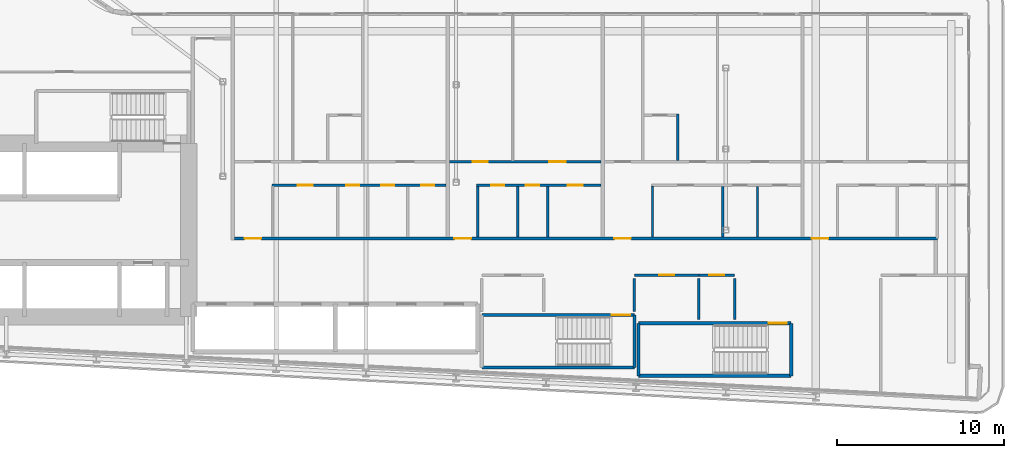
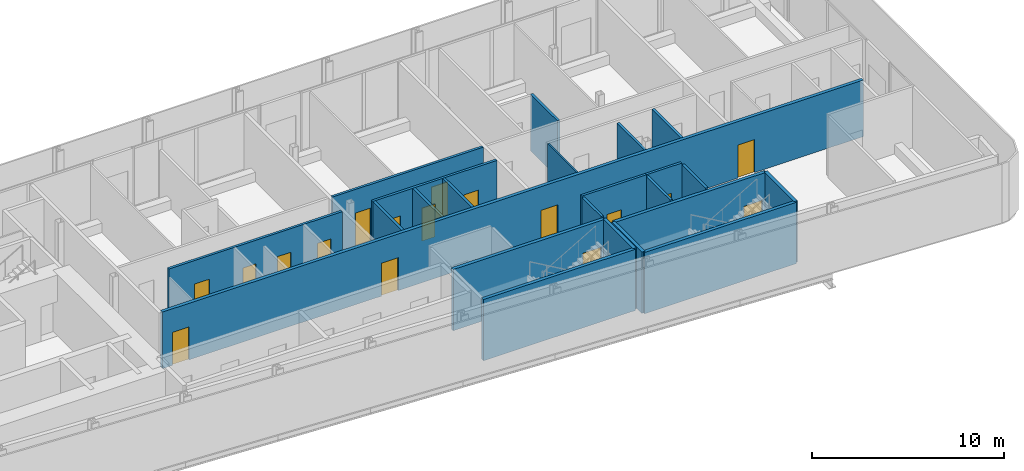
# One storey, part 14 of 27: 23 walls, 17 doors, 17 openings.
"""IFC4 building model written with IfcOpenShell, lengths in metres."""

from ifc_helpers import new_model, si_unit, direction, frame, frame_2d, origin, place, context, subcontext, project, spatial, rectangle, extrude, source, transform, mapped, material, layer, layer_set, type_object, element, fill, save


model = new_model("IFC4")

# Units and contexts
model_context = context("Model", 3, precision=1e-05, world=origin(), true_north=direction((0.0, 1.0)))
body_context = subcontext(model_context, "Body", "Model", "MODEL_VIEW")
ifc_project = project(units=[si_unit("LENGTHUNIT", "METRE"), si_unit("AREAUNIT", "SQUARE_METRE"), si_unit("VOLUMEUNIT", "CUBIC_METRE"), si_unit("PLANEANGLEUNIT", "RADIAN"), si_unit("MASSUNIT", "GRAM", prefix="KILO")], contexts=[model_context])

# Site, building, storey
site_placement = place(None, origin())
site = spatial("IfcSite", under=ifc_project, at=site_placement, CompositionType="ELEMENT")
building_placement = place(site_placement, origin())
building = spatial("IfcBuilding", under=site, at=building_placement, Name="Kheshtan School and Residences Tower", CompositionType="ELEMENT")
storey_placement = place(building_placement, frame((0.0, 0.0, 53.89990234375)))
storey = spatial("IfcBuildingStorey", under=building, at=storey_placement, Name="L12", CompositionType="ELEMENT", Elevation=53.89990234375)

# Wall, openings, doors
ifc_material_1 = material(Name="Gypsum board on steel studs with fire boards", Category="steel")
ifc_layer_1 = layer(ifc_material_1, 0.199951171875)
ifc_layer_set_1 = layer_set([ifc_layer_1], Name="Corridor wall 200")
wall_type_1 = type_object("IfcWallType", Name="Corridor wall 200", PredefinedType="PARTITIONING", material=ifc_layer_set_1)
wall_1_placement = place(storey_placement, frame((55.89990234375, 30.5, 0.0), z_axis=(0.0, 0.0, 1.0), x_axis=(1.0, 0.0, 0.0)))
wall_1 = element("IfcWall", 1, at=wall_1_placement, inside=storey, type_object=wall_type_1, Name="Partition L12-046", PredefinedType="PARTITIONING", context=body_context, shape_type="SweptSolid", body=[
    extrude(rectangle(XDim=42.2001953125, YDim=0.199951171875, at=frame_2d((21.10009765625, 0.0))), origin(), (0.0, 0.0, 1.0), 3.60009765625),
])
opening_1_placement = place(wall_1_placement, frame((0.60009765625, 0.0, 0.0)))
opening_1 = element("IfcOpeningElement", 2, at=opening_1_placement, cuts=wall_1, Name="Opening D12-005", PredefinedType="OPENING", context=body_context, shape_type="SweptSolid", body=[
    extrude(rectangle(XDim=1.0, YDim=2.10009765625, at=frame_2d((0.5, 1.050048828125))), frame((0.0, 0.10986328125, 0.0), z_axis=(0.0, -1.0, 0.0), x_axis=(1.0, 0.0, 0.0)), (0.0, 0.0, 1.0), 0.219970703125),
])
opening_2_placement = place(wall_1_placement, frame((13.199951171875, 0.0, 0.0)))
opening_2 = element("IfcOpeningElement", 3, at=opening_2_placement, cuts=wall_1, Name="Opening D12-012", PredefinedType="OPENING", context=body_context, shape_type="SweptSolid", body=[
    extrude(rectangle(XDim=1.0, YDim=2.10009765625, at=frame_2d((0.5, 1.050048828125))), frame((0.0, 0.10986328125, 0.0), z_axis=(0.0, -1.0, 0.0), x_axis=(1.0, 0.0, 0.0)), (0.0, 0.0, 1.0), 0.219970703125),
])
opening_3_placement = place(wall_1_placement, frame((22.800048828125, 0.0, 0.0)))
opening_3 = element("IfcOpeningElement", 4, at=opening_3_placement, cuts=wall_1, Name="Opening D12-019", PredefinedType="OPENING", context=body_context, shape_type="SweptSolid", body=[
    extrude(rectangle(XDim=1.0, YDim=2.10009765625, at=frame_2d((0.5, 1.050048828125))), frame((0.0, 0.10986328125, 0.0), z_axis=(0.0, -1.0, 0.0), x_axis=(1.0, 0.0, 0.0)), (0.0, 0.0, 1.0), 0.219970703125),
])
opening_4_placement = place(wall_1_placement, frame((34.64990234375, 0.0, 0.0)))
opening_4 = element("IfcOpeningElement", 5, at=opening_4_placement, cuts=wall_1, Name="Opening D12-026", PredefinedType="OPENING", context=body_context, shape_type="SweptSolid", body=[
    extrude(rectangle(XDim=1.0, YDim=2.10009765625, at=frame_2d((0.5, 1.050048828125))), frame((0.0, 0.10986328125, 0.0), z_axis=(0.0, -1.0, 0.0), x_axis=(1.0, 0.0, 0.0)), (0.0, 0.0, 1.0), 0.219970703125),
])
ifc_material_2 = material(Name="Steel-framed fire-resisting door leaf", Category="steel")
door_type_1 = type_object("IfcDoorType", Name="Fire door FD30S 1000 x 2100", OperationType="SINGLE_SWING_LEFT", PredefinedType="DOOR", material=ifc_material_2)
shared_shape_1 = source(origin(), body_context, "Body", "SweptSolid", [
    extrude(rectangle(XDim=1.0, YDim=2.10009765625, at=frame_2d((0.5, 1.050048828125))), frame((0.0, 0.02490234375, 0.0), z_axis=(0.0, -1.0, 0.0), x_axis=(1.0, 0.0, 0.0)), (0.0, 0.0, 1.0), 0.050048828125),
])
door_1_placement = place(opening_1_placement, origin())
door_1 = element("IfcDoor", 6, at=door_1_placement, inside=storey, type_object=door_type_1, Name="Door D12-005", OperationType="SINGLE_SWING_LEFT", OverallHeight=2.10009765625, OverallWidth=1.0, PredefinedType="DOOR", context=body_context, shape_type="MappedRepresentation", body=[
    mapped(shared_shape_1, transform((0.0, 0.0, 0.0), x_axis=(1.0, 0.0, 0.0), y_axis=(0.0, 1.0, 0.0), z_axis=(0.0, 0.0, 1.0), scale=1.0)),
])
fill(opening_1, door_1)
door_2_placement = place(opening_2_placement, origin())
door_2 = element("IfcDoor", 7, at=door_2_placement, inside=storey, type_object=door_type_1, Name="Door D12-012", OperationType="SINGLE_SWING_RIGHT", OverallHeight=2.10009765625, OverallWidth=1.0, PredefinedType="DOOR", context=body_context, shape_type="MappedRepresentation", body=[
    mapped(shared_shape_1, transform((0.0, 0.0, 0.0), x_axis=(1.0, 0.0, 0.0), y_axis=(0.0, 1.0, 0.0), z_axis=(0.0, 0.0, 1.0), scale=1.0)),
])
fill(opening_2, door_2)
door_3_placement = place(opening_3_placement, origin())
door_3 = element("IfcDoor", 8, at=door_3_placement, inside=storey, type_object=door_type_1, Name="Door D12-019", OperationType="SINGLE_SWING_LEFT", OverallHeight=2.10009765625, OverallWidth=1.0, PredefinedType="DOOR", context=body_context, shape_type="MappedRepresentation", body=[
    mapped(shared_shape_1, transform((0.0, 0.0, 0.0), x_axis=(1.0, 0.0, 0.0), y_axis=(0.0, 1.0, 0.0), z_axis=(0.0, 0.0, 1.0), scale=1.0)),
])
fill(opening_3, door_3)
door_4_placement = place(opening_4_placement, origin())
door_4 = element("IfcDoor", 9, at=door_4_placement, inside=storey, type_object=door_type_1, Name="Door D12-026", OperationType="SINGLE_SWING_RIGHT", OverallHeight=2.10009765625, OverallWidth=1.0, PredefinedType="DOOR", context=body_context, shape_type="MappedRepresentation", body=[
    mapped(shared_shape_1, transform((0.0, 0.0, 0.0), x_axis=(1.0, 0.0, 0.0), y_axis=(0.0, 1.0, 0.0), z_axis=(0.0, 0.0, 1.0), scale=1.0)),
])
fill(opening_4, door_4)

# Wall
ifc_material_3 = material(Name="Gypsum board on steel studs", Category="steel")
ifc_layer_2 = layer(ifc_material_3, 0.10009765625)
ifc_layer_set_2 = layer_set([ifc_layer_2], Name="Gypsum partition 100")
wall_type_2 = type_object("IfcWallType", Name="Gypsum partition 100", PredefinedType="PARTITIONING", material=ifc_layer_set_2)
wall_2_placement = place(storey_placement, frame((81.0, 30.60009765625, 0.0), z_axis=(0.0, 0.0, 1.0), x_axis=(0.0, 1.0, 0.0)))
element("IfcWall", 10, at=wall_2_placement, inside=storey, type_object=wall_type_2, Name="Partition L12-069", PredefinedType="PARTITIONING", context=body_context, shape_type="SweptSolid", body=[
    extrude(rectangle(XDim=3.02490234375, YDim=0.10009765625, at=frame_2d((1.512451171875, 0.0))), origin(), (0.0, 0.0, 1.0), 3.60009765625),
])

# Wall, opening, door
ifc_material_4 = material(Name="Fire-board shaft wall system")
ifc_layer_3 = layer(ifc_material_4, 0.14990234375)
ifc_layer_set_3 = layer_set([ifc_layer_3], Name="Service room wall 150")
wall_type_3 = type_object("IfcWallType", Name="Service room wall 150", PredefinedType="PARTITIONING", material=ifc_layer_set_3)
wall_3_placement = place(storey_placement, frame((79.909912109375, 28.300048828125, 0.0), z_axis=(0.0, 0.0, 1.0), x_axis=(1.0, 0.0, 0.0)))
wall_3 = element("IfcWall", 11, at=wall_3_placement, inside=storey, type_object=wall_type_3, Name="Service room wall", PredefinedType="PARTITIONING", context=body_context, shape_type="SweptSolid", body=[
    extrude(rectangle(XDim=3.864990234375, YDim=0.14990234375, at=frame_2d((1.9326171875, 0.0))), origin(), (0.0, 0.0, 1.0), 3.900146484375),
])
opening_5_placement = place(wall_3_placement, frame((1.48193359375, 0.0, 0.0)))
opening_5 = element("IfcOpeningElement", 12, at=opening_5_placement, cuts=wall_3, Name="Opening SR90", PredefinedType="OPENING", context=body_context, shape_type="SweptSolid", body=[
    extrude(rectangle(XDim=0.89990234375, YDim=2.199951171875, at=frame_2d((0.449951171875, 1.10009765625))), frame((0.0, 0.0849609375, 0.0), z_axis=(0.0, -1.0, 0.0), x_axis=(1.0, 0.0, 0.0)), (0.0, 0.0, 1.0), 0.169921875),
])
ifc_material_5 = material(Name="Steel door leaf, galvanised", Category="steel")
door_type_2 = type_object("IfcDoorType", Name="Service room door 900 steel 90 min", OperationType="SINGLE_SWING_LEFT", PredefinedType="DOOR", material=ifc_material_5)
shared_shape_2 = source(origin(), body_context, "Body", "SweptSolid", [
    extrude(rectangle(XDim=0.89990234375, YDim=2.199951171875, at=frame_2d((0.449951171875, 1.10009765625))), frame((0.0, 0.02490234375, 0.0), z_axis=(0.0, -1.0, 0.0), x_axis=(1.0, 0.0, 0.0)), (0.0, 0.0, 1.0), 0.050048828125),
])
door_5_placement = place(opening_5_placement, origin())
door_5 = element("IfcDoor", 13, at=door_5_placement, inside=storey, type_object=door_type_2, Name="Service room door", OperationType="SINGLE_SWING_RIGHT", OverallHeight=2.199951171875, OverallWidth=0.89990234375, PredefinedType="DOOR", context=body_context, shape_type="MappedRepresentation", body=[
    mapped(shared_shape_2, transform((0.0, 0.0, 0.0), x_axis=(1.0, 0.0, 0.0), y_axis=(0.0, 1.0, 0.0), z_axis=(0.0, 0.0, 1.0), scale=1.0)),
])
fill(opening_5, door_5)

# Walls
wall_4_placement = place(storey_placement, frame((79.909912109375, 26.1201171875, 0.0), z_axis=(0.0, 0.0, 1.0), x_axis=(0.0, 1.0, 0.0)))
element("IfcWall", 14, at=wall_4_placement, inside=storey, type_object=wall_type_3, Name="Service room wall", PredefinedType="PARTITIONING", context=body_context, shape_type="SweptSolid", body=[
    extrude(rectangle(XDim=1.98486328125, YDim=0.14990234375, at=frame_2d((0.992431640625, 0.0))), origin(), (0.0, 0.0, 1.0), 3.900146484375),
])
wall_5_placement = place(storey_placement, frame((83.77490234375, 25.6201171875, 0.0), z_axis=(0.0, 0.0, 1.0), x_axis=(0.0, 1.0, 0.0)))
element("IfcWall", 15, at=wall_5_placement, inside=storey, type_object=wall_type_3, Name="Service room wall", PredefinedType="PARTITIONING", context=body_context, shape_type="SweptSolid", body=[
    extrude(rectangle(XDim=2.48486328125, YDim=0.14990234375, at=frame_2d((1.242431640625, 0.0))), origin(), (0.0, 0.0, 1.0), 3.900146484375),
])

# Wall, opening, door
wall_6_placement = place(storey_placement, frame((83.77490234375, 28.300048828125, 0.0), z_axis=(0.0, 0.0, 1.0), x_axis=(1.0, 0.0, 0.0)))
wall_6 = element("IfcWall", 16, at=wall_6_placement, inside=storey, type_object=wall_type_3, Name="Service room wall", PredefinedType="PARTITIONING", context=body_context, shape_type="SweptSolid", body=[
    extrude(rectangle(XDim=2.14501953125, YDim=0.14990234375, at=frame_2d((1.072509765625, 0.0))), origin(), (0.0, 0.0, 1.0), 3.900146484375),
])
opening_6_placement = place(wall_6_placement, frame((0.623046875, 0.0, 0.0)))
opening_6 = element("IfcOpeningElement", 17, at=opening_6_placement, cuts=wall_6, Name="Opening SR90", PredefinedType="OPENING", context=body_context, shape_type="SweptSolid", body=[
    extrude(rectangle(XDim=0.89990234375, YDim=2.199951171875, at=frame_2d((0.449951171875, 1.10009765625))), frame((0.0, 0.0849609375, 0.0), z_axis=(0.0, -1.0, 0.0), x_axis=(1.0, 0.0, 0.0)), (0.0, 0.0, 1.0), 0.169921875),
])
door_6_placement = place(opening_6_placement, origin())
door_6 = element("IfcDoor", 18, at=door_6_placement, inside=storey, type_object=door_type_2, Name="Service room door", OperationType="SINGLE_SWING_LEFT", OverallHeight=2.199951171875, OverallWidth=0.89990234375, PredefinedType="DOOR", context=body_context, shape_type="MappedRepresentation", body=[
    mapped(shared_shape_2, transform((0.0, 0.0, 0.0), x_axis=(1.0, 0.0, 0.0), y_axis=(0.0, 1.0, 0.0), z_axis=(0.0, 0.0, 1.0), scale=1.0)),
])
fill(opening_6, door_6)

# Walls
wall_7_placement = place(storey_placement, frame((85.919921875, 25.6201171875, 0.0), z_axis=(0.0, 0.0, 1.0), x_axis=(0.0, 1.0, 0.0)))
element("IfcWall", 19, at=wall_7_placement, inside=storey, type_object=wall_type_3, Name="Service room wall", PredefinedType="PARTITIONING", context=body_context, shape_type="SweptSolid", body=[
    extrude(rectangle(XDim=2.48486328125, YDim=0.14990234375, at=frame_2d((1.242431640625, 0.0))), origin(), (0.0, 0.0, 1.0), 3.900146484375),
])
ifc_material_6 = material(Name="Concrete C40/50", Category="concrete")
ifc_layer_4 = layer(ifc_material_6, 0.199951171875)
ifc_layer_set_4 = layer_set([ifc_layer_4], Name="Stair enclosure wall 200 Concrete C40/50")
wall_type_4 = type_object("IfcWallType", Name="Stair enclosure wall 200 Concrete C40/50", PredefinedType="SHEAR", material=ifc_layer_set_4)
wall_8_placement = place(storey_placement, frame((80.159912109375, 22.25, 0.0), z_axis=(0.0, 0.0, 1.0), x_axis=(1.0, 0.0, 0.0)))
element("IfcWall", 20, at=wall_8_placement, inside=storey, type_object=wall_type_4, Name="Stair enclosure wall ST4", PredefinedType="SHEAR", context=body_context, shape_type="SweptSolid", body=[
    extrude(rectangle(XDim=9.16015625, YDim=0.199951171875, at=frame_2d((4.580078125, 0.0))), origin(), (0.0, 0.0, 1.0), 3.900146484375),
])

# Wall, opening, door
wall_9_placement = place(storey_placement, frame((80.159912109375, 25.39990234375, 0.0), z_axis=(0.0, 0.0, 1.0), x_axis=(1.0, 0.0, 0.0)))
wall_9 = element("IfcWall", 21, at=wall_9_placement, inside=storey, type_object=wall_type_4, Name="Stair enclosure wall ST4", PredefinedType="SHEAR", context=body_context, shape_type="SweptSolid", body=[
    extrude(rectangle(XDim=9.16015625, YDim=0.199951171875, at=frame_2d((4.580078125, 0.0))), origin(), (0.0, 0.0, 1.0), 3.900146484375),
])
opening_7_placement = place(wall_9_placement, frame((7.81005859375, 0.0, 0.0)))
opening_7 = element("IfcOpeningElement", 22, at=opening_7_placement, cuts=wall_9, Name="Opening ST4D", PredefinedType="OPENING", context=body_context, shape_type="SweptSolid", body=[
    extrude(rectangle(XDim=1.10009765625, YDim=2.199951171875, at=frame_2d((0.550048828125, 1.10009765625))), frame((0.0, 0.10986328125, 0.0), z_axis=(0.0, -1.0, 0.0), x_axis=(1.0, 0.0, 0.0)), (0.0, 0.0, 1.0), 0.219970703125),
])
door_type_3 = type_object("IfcDoorType", Name="Stair door 1100 steel 90 min", OperationType="SINGLE_SWING_LEFT", PredefinedType="DOOR", material=ifc_material_5)
shared_shape_3 = source(origin(), body_context, "Body", "SweptSolid", [
    extrude(rectangle(XDim=1.10009765625, YDim=2.199951171875, at=frame_2d((0.550048828125, 1.10009765625))), frame((0.0, 0.02490234375, 0.0), z_axis=(0.0, -1.0, 0.0), x_axis=(1.0, 0.0, 0.0)), (0.0, 0.0, 1.0), 0.050048828125),
])
door_7_placement = place(opening_7_placement, origin())
door_7 = element("IfcDoor", 23, at=door_7_placement, inside=storey, type_object=door_type_3, Name="Stair ST4 door", OperationType="SINGLE_SWING_LEFT", OverallHeight=2.199951171875, OverallWidth=1.10009765625, PredefinedType="DOOR", context=body_context, shape_type="MappedRepresentation", body=[
    mapped(shared_shape_3, transform((0.0, 0.0, 0.0), x_axis=(1.0, 0.0, 0.0), y_axis=(0.0, 1.0, 0.0), z_axis=(0.0, 0.0, 1.0), scale=1.0)),
])
fill(opening_7, door_7)

# Walls
for number, where, z_axis, x_axis, name in (
    (24, (80.159912109375, 22.25, 0.0), (0.0, 0.0, 1.0), (0.0, 1.0, 0.0), "Stair enclosure wall ST4"),
    (25, (89.320068359375, 22.25, 0.0), (0.0, 0.0, 1.0), (0.0, 1.0, 0.0), "Stair enclosure wall ST4"),
):
    element("IfcWall", number, at=place(storey_placement, frame(where, z_axis=z_axis, x_axis=x_axis)), inside=storey, type_object=wall_type_4, Name=name, PredefinedType="SHEAR", context=body_context, shape_type="SweptSolid", body=[
        extrude(rectangle(XDim=3.14990234375, YDim=0.199951171875, at=frame_2d((1.574951171875, 0.0))), origin(), (0.0, 0.0, 1.0), 3.900146484375),
    ])
wall_10_placement = place(storey_placement, frame((70.75, 22.75, 0.0), z_axis=(0.0, 0.0, 1.0), x_axis=(1.0, 0.0, 0.0)))
element("IfcWall", 26, at=wall_10_placement, inside=storey, type_object=wall_type_4, Name="Stair enclosure wall ST5", PredefinedType="SHEAR", context=body_context, shape_type="SweptSolid", body=[
    extrude(rectangle(XDim=9.159912109375, YDim=0.199951171875, at=frame_2d((4.580078125, 0.0))), origin(), (0.0, 0.0, 1.0), 3.900146484375),
])

# Wall, opening, door
wall_11_placement = place(storey_placement, frame((70.75, 25.89990234375, 0.0), z_axis=(0.0, 0.0, 1.0), x_axis=(1.0, 0.0, 0.0)))
wall_11 = element("IfcWall", 27, at=wall_11_placement, inside=storey, type_object=wall_type_4, Name="Stair enclosure wall ST5", PredefinedType="SHEAR", context=body_context, shape_type="SweptSolid", body=[
    extrude(rectangle(XDim=9.159912109375, YDim=0.199951171875, at=frame_2d((4.580078125, 0.0))), origin(), (0.0, 0.0, 1.0), 3.900146484375),
])
opening_8_placement = place(wall_11_placement, frame((7.81005859375, 0.0, 0.0)))
opening_8 = element("IfcOpeningElement", 28, at=opening_8_placement, cuts=wall_11, Name="Opening ST5D", PredefinedType="OPENING", context=body_context, shape_type="SweptSolid", body=[
    extrude(rectangle(XDim=1.10009765625, YDim=2.199951171875, at=frame_2d((0.550048828125, 1.10009765625))), frame((0.0, 0.10986328125, 0.0), z_axis=(0.0, -1.0, 0.0), x_axis=(1.0, 0.0, 0.0)), (0.0, 0.0, 1.0), 0.219970703125),
])
door_8_placement = place(opening_8_placement, origin())
door_8 = element("IfcDoor", 29, at=door_8_placement, inside=storey, type_object=door_type_3, Name="Stair ST5 door", OperationType="SINGLE_SWING_LEFT", OverallHeight=2.199951171875, OverallWidth=1.10009765625, PredefinedType="DOOR", context=body_context, shape_type="MappedRepresentation", body=[
    mapped(shared_shape_3, transform((0.0, 0.0, 0.0), x_axis=(1.0, 0.0, 0.0), y_axis=(0.0, 1.0, 0.0), z_axis=(0.0, 0.0, 1.0), scale=1.0)),
])
fill(opening_8, door_8)

# Wall
wall_12_placement = place(storey_placement, frame((79.909912109375, 22.75, 0.0), z_axis=(0.0, 0.0, 1.0), x_axis=(0.0, 1.0, 0.0)))
element("IfcWall", 30, at=wall_12_placement, inside=storey, type_object=wall_type_4, Name="Stair enclosure wall ST5", PredefinedType="SHEAR", context=body_context, shape_type="SweptSolid", body=[
    extrude(rectangle(XDim=3.14990234375, YDim=0.199951171875, at=frame_2d((1.574951171875, 0.0))), origin(), (0.0, 0.0, 1.0), 3.900146484375),
])

# Wall, openings, doors
ifc_material_7 = material(Name="Moisture-resistant gypsum board on steel studs", Category="steel")
ifc_layer_5 = layer(ifc_material_7, 0.14990234375)
ifc_layer_set_5 = layer_set([ifc_layer_5], Name="Wet-room partition 150")
wall_type_5 = type_object("IfcWallType", Name="Wet-room partition 150", PredefinedType="PARTITIONING", material=ifc_layer_set_5)
wall_13_placement = place(storey_placement, frame((58.14990234375, 33.699951171875, 0.0), z_axis=(0.0, 0.0, 1.0), x_axis=(1.0, 0.0, 0.0)))
wall_13 = element("IfcWall", 31, at=wall_13_placement, inside=storey, type_object=wall_type_5, Name="Partition L12-048", PredefinedType="PARTITIONING", context=body_context, shape_type="SweptSolid", body=[
    extrude(rectangle(XDim=10.4501953125, YDim=0.14990234375, at=frame_2d((5.22509765625, 0.0))), origin(), (0.0, 0.0, 1.0), 3.60009765625),
])
opening_9_placement = place(wall_13_placement, frame((8.949951171875, 0.0, 0.0)))
opening_9 = element("IfcOpeningElement", 32, at=opening_9_placement, cuts=wall_13, Name="Opening D12-001", PredefinedType="OPENING", context=body_context, shape_type="SweptSolid", body=[
    extrude(rectangle(XDim=0.800048828125, YDim=2.10009765625, at=frame_2d((0.39990234375, 1.050048828125))), frame((0.0, 0.0849609375, 0.0), z_axis=(0.0, -1.0, 0.0), x_axis=(1.0, 0.0, 0.0)), (0.0, 0.0, 1.0), 0.169921875),
])
opening_10_placement = place(wall_13_placement, frame((6.550048828125, 0.0, 0.0)))
opening_10 = element("IfcOpeningElement", 33, at=opening_10_placement, cuts=wall_13, Name="Opening D12-003", PredefinedType="OPENING", context=body_context, shape_type="SweptSolid", body=[
    extrude(rectangle(XDim=0.800048828125, YDim=2.10009765625, at=frame_2d((0.39990234375, 1.050048828125))), frame((0.0, 0.0849609375, 0.0), z_axis=(0.0, -1.0, 0.0), x_axis=(1.0, 0.0, 0.0)), (0.0, 0.0, 1.0), 0.169921875),
])
opening_11_placement = place(wall_13_placement, frame((1.550048828125, 0.0, 0.0)))
opening_11 = element("IfcOpeningElement", 34, at=opening_11_placement, cuts=wall_13, Name="Opening D12-006", PredefinedType="OPENING", context=body_context, shape_type="SweptSolid", body=[
    extrude(rectangle(XDim=0.89990234375, YDim=2.10009765625, at=frame_2d((0.449951171875, 1.050048828125))), frame((0.0, 0.0849609375, 0.0), z_axis=(0.0, -1.0, 0.0), x_axis=(1.0, 0.0, 0.0)), (0.0, 0.0, 1.0), 0.169921875),
])
opening_12_placement = place(wall_13_placement, frame((4.449951171875, 0.0, 0.0)))
opening_12 = element("IfcOpeningElement", 35, at=opening_12_placement, cuts=wall_13, Name="Opening D12-009", PredefinedType="OPENING", context=body_context, shape_type="SweptSolid", body=[
    extrude(rectangle(XDim=0.800048828125, YDim=2.10009765625, at=frame_2d((0.39990234375, 1.050048828125))), frame((0.0, 0.0849609375, 0.0), z_axis=(0.0, -1.0, 0.0), x_axis=(1.0, 0.0, 0.0)), (0.0, 0.0, 1.0), 0.169921875),
])
ifc_material_8 = material(Name="Veneered timber door leaf", Category="wood")
door_type_4 = type_object("IfcDoorType", Name="Door 800 x 2100", OperationType="SINGLE_SWING_LEFT", PredefinedType="DOOR", material=ifc_material_8)
shared_shape_4 = source(origin(), body_context, "Body", "SweptSolid", [
    extrude(rectangle(XDim=0.800048828125, YDim=2.10009765625, at=frame_2d((0.39990234375, 1.050048828125))), frame((0.0, 0.02490234375, 0.0), z_axis=(0.0, -1.0, 0.0), x_axis=(1.0, 0.0, 0.0)), (0.0, 0.0, 1.0), 0.050048828125),
])
door_9_placement = place(opening_9_placement, origin())
door_9 = element("IfcDoor", 36, at=door_9_placement, inside=storey, type_object=door_type_4, Name="Door D12-001", OperationType="SINGLE_SWING_LEFT", OverallHeight=2.10009765625, OverallWidth=0.800048828125, PredefinedType="DOOR", context=body_context, shape_type="MappedRepresentation", body=[
    mapped(shared_shape_4, transform((0.0, 0.0, 0.0), x_axis=(1.0, 0.0, 0.0), y_axis=(0.0, 1.0, 0.0), z_axis=(0.0, 0.0, 1.0), scale=1.0)),
])
fill(opening_9, door_9)
door_10_placement = place(opening_10_placement, origin())
door_10 = element("IfcDoor", 37, at=door_10_placement, inside=storey, type_object=door_type_4, Name="Door D12-003", OperationType="SINGLE_SWING_LEFT", OverallHeight=2.10009765625, OverallWidth=0.800048828125, PredefinedType="DOOR", context=body_context, shape_type="MappedRepresentation", body=[
    mapped(shared_shape_4, transform((0.0, 0.0, 0.0), x_axis=(1.0, 0.0, 0.0), y_axis=(0.0, 1.0, 0.0), z_axis=(0.0, 0.0, 1.0), scale=1.0)),
])
fill(opening_10, door_10)
door_11_placement = place(opening_12_placement, origin())
door_11 = element("IfcDoor", 38, at=door_11_placement, inside=storey, type_object=door_type_4, Name="Door D12-009", OperationType="SINGLE_SWING_LEFT", OverallHeight=2.10009765625, OverallWidth=0.800048828125, PredefinedType="DOOR", context=body_context, shape_type="MappedRepresentation", body=[
    mapped(shared_shape_4, transform((0.0, 0.0, 0.0), x_axis=(1.0, 0.0, 0.0), y_axis=(0.0, 1.0, 0.0), z_axis=(0.0, 0.0, 1.0), scale=1.0)),
])
fill(opening_12, door_11)
door_type_5 = type_object("IfcDoorType", Name="Door 900 x 2100", OperationType="SINGLE_SWING_LEFT", PredefinedType="DOOR", material=ifc_material_8)
shared_shape_5 = source(origin(), body_context, "Body", "SweptSolid", [
    extrude(rectangle(XDim=0.89990234375, YDim=2.10009765625, at=frame_2d((0.449951171875, 1.050048828125))), frame((0.0, 0.02490234375, 0.0), z_axis=(0.0, -1.0, 0.0), x_axis=(1.0, 0.0, 0.0)), (0.0, 0.0, 1.0), 0.050048828125),
])
door_12_placement = place(opening_11_placement, origin())
door_12 = element("IfcDoor", 39, at=door_12_placement, inside=storey, type_object=door_type_5, Name="Door D12-006", OperationType="SINGLE_SWING_LEFT", OverallHeight=2.10009765625, OverallWidth=0.89990234375, PredefinedType="DOOR", context=body_context, shape_type="MappedRepresentation", body=[
    mapped(shared_shape_5, transform((0.0, 0.0, 0.0), x_axis=(1.0, 0.0, 0.0), y_axis=(0.0, 1.0, 0.0), z_axis=(0.0, 0.0, 1.0), scale=1.0)),
])
fill(opening_11, door_12)

wall_14_placement = place(storey_placement, frame((68.800048828125, 35.10009765625, 0.0), z_axis=(0.0, 0.0, 1.0), x_axis=(1.0, 0.0, 0.0)))
wall_14 = element("IfcWall", 40, at=wall_14_placement, inside=storey, type_object=wall_type_5, Name="Partition L12-058", PredefinedType="PARTITIONING", context=body_context, shape_type="SweptSolid", body=[
    extrude(rectangle(XDim=9.099853515625, YDim=0.14990234375, at=frame_2d((4.5498046875, 0.0))), origin(), (0.0, 0.0, 1.0), 3.60009765625),
])
opening_13_placement = place(wall_14_placement, frame((1.39990234375, 0.0, 0.0)))
opening_13 = element("IfcOpeningElement", 41, at=opening_13_placement, cuts=wall_14, Name="Opening D12-011", PredefinedType="OPENING", context=body_context, shape_type="SweptSolid", body=[
    extrude(rectangle(XDim=0.89990234375, YDim=2.10009765625, at=frame_2d((0.449951171875, 1.050048828125))), frame((0.0, 0.0849609375, 0.0), z_axis=(0.0, -1.0, 0.0), x_axis=(1.0, 0.0, 0.0)), (0.0, 0.0, 1.0), 0.169921875),
])
opening_14_placement = place(wall_14_placement, frame((6.0, 0.0, 0.0)))
opening_14 = element("IfcOpeningElement", 42, at=opening_14_placement, cuts=wall_14, Name="Opening D12-014", PredefinedType="OPENING", context=body_context, shape_type="SweptSolid", body=[
    extrude(rectangle(XDim=1.0, YDim=2.10009765625, at=frame_2d((0.5, 1.050048828125))), frame((0.0, 0.0849609375, 0.0), z_axis=(0.0, -1.0, 0.0), x_axis=(1.0, 0.0, 0.0)), (0.0, 0.0, 1.0), 0.169921875),
])
door_type_6 = type_object("IfcDoorType", Name="Door 1000 x 2100", OperationType="SINGLE_SWING_LEFT", PredefinedType="DOOR", material=ifc_material_8)
shared_shape_6 = source(origin(), body_context, "Body", "SweptSolid", [
    extrude(rectangle(XDim=1.0, YDim=2.10009765625, at=frame_2d((0.5, 1.050048828125))), frame((0.0, 0.02490234375, 0.0), z_axis=(0.0, -1.0, 0.0), x_axis=(1.0, 0.0, 0.0)), (0.0, 0.0, 1.0), 0.050048828125),
])
door_13_placement = place(opening_14_placement, origin())
door_13 = element("IfcDoor", 43, at=door_13_placement, inside=storey, type_object=door_type_6, Name="Door D12-014", OperationType="SINGLE_SWING_LEFT", OverallHeight=2.10009765625, OverallWidth=1.0, PredefinedType="DOOR", context=body_context, shape_type="MappedRepresentation", body=[
    mapped(shared_shape_6, transform((0.0, 0.0, 0.0), x_axis=(1.0, 0.0, 0.0), y_axis=(0.0, 1.0, 0.0), z_axis=(0.0, 0.0, 1.0), scale=1.0)),
])
fill(opening_14, door_13)
door_14_placement = place(opening_13_placement, origin())
door_14 = element("IfcDoor", 44, at=door_14_placement, inside=storey, type_object=door_type_5, Name="Door D12-011", OperationType="SINGLE_SWING_RIGHT", OverallHeight=2.10009765625, OverallWidth=0.89990234375, PredefinedType="DOOR", context=body_context, shape_type="MappedRepresentation", body=[
    mapped(shared_shape_5, transform((0.0, 0.0, 0.0), x_axis=(1.0, 0.0, 0.0), y_axis=(0.0, 1.0, 0.0), z_axis=(0.0, 0.0, 1.0), scale=1.0)),
])
fill(opening_13, door_14)

wall_15_placement = place(storey_placement, frame((70.425048828125, 33.699951171875, 0.0), z_axis=(0.0, 0.0, 1.0), x_axis=(1.0, 0.0, 0.0)))
wall_15 = element("IfcWall", 45, at=wall_15_placement, inside=storey, type_object=wall_type_5, Name="Partition L12-059", PredefinedType="PARTITIONING", context=body_context, shape_type="SweptSolid", body=[
    extrude(rectangle(XDim=7.474853515625, YDim=0.14990234375, at=frame_2d((3.7373046875, 0.0))), origin(), (0.0, 0.0, 1.0), 3.60009765625),
])
opening_15_placement = place(wall_15_placement, frame((0.875, 0.0, 0.0)))
opening_15 = element("IfcOpeningElement", 46, at=opening_15_placement, cuts=wall_15, Name="Opening D12-010", PredefinedType="OPENING", context=body_context, shape_type="SweptSolid", body=[
    extrude(rectangle(XDim=0.800048828125, YDim=2.10009765625, at=frame_2d((0.39990234375, 1.050048828125))), frame((0.0, 0.0849609375, 0.0), z_axis=(0.0, -1.0, 0.0), x_axis=(1.0, 0.0, 0.0)), (0.0, 0.0, 1.0), 0.169921875),
])
opening_16_placement = place(wall_15_placement, frame((5.47509765625, 0.0, 0.0)))
opening_16 = element("IfcOpeningElement", 47, at=opening_16_placement, cuts=wall_15, Name="Opening D12-013", PredefinedType="OPENING", context=body_context, shape_type="SweptSolid", body=[
    extrude(rectangle(XDim=0.89990234375, YDim=2.10009765625, at=frame_2d((0.449951171875, 1.050048828125))), frame((0.0, 0.0849609375, 0.0), z_axis=(0.0, -1.0, 0.0), x_axis=(1.0, 0.0, 0.0)), (0.0, 0.0, 1.0), 0.169921875),
])
opening_17_placement = place(wall_15_placement, frame((2.97509765625, 0.0, 0.0)))
opening_17 = element("IfcOpeningElement", 48, at=opening_17_placement, cuts=wall_15, Name="Opening D12-015", PredefinedType="OPENING", context=body_context, shape_type="SweptSolid", body=[
    extrude(rectangle(XDim=0.800048828125, YDim=2.10009765625, at=frame_2d((0.39990234375, 1.050048828125))), frame((0.0, 0.0849609375, 0.0), z_axis=(0.0, -1.0, 0.0), x_axis=(1.0, 0.0, 0.0)), (0.0, 0.0, 1.0), 0.169921875),
])
door_15_placement = place(opening_15_placement, origin())
door_15 = element("IfcDoor", 49, at=door_15_placement, inside=storey, type_object=door_type_4, Name="Door D12-010", OperationType="SINGLE_SWING_RIGHT", OverallHeight=2.10009765625, OverallWidth=0.800048828125, PredefinedType="DOOR", context=body_context, shape_type="MappedRepresentation", body=[
    mapped(shared_shape_4, transform((0.0, 0.0, 0.0), x_axis=(1.0, 0.0, 0.0), y_axis=(0.0, 1.0, 0.0), z_axis=(0.0, 0.0, 1.0), scale=1.0)),
])
fill(opening_15, door_15)
door_16_placement = place(opening_17_placement, origin())
door_16 = element("IfcDoor", 50, at=door_16_placement, inside=storey, type_object=door_type_4, Name="Door D12-015", OperationType="SINGLE_SWING_LEFT", OverallHeight=2.10009765625, OverallWidth=0.800048828125, PredefinedType="DOOR", context=body_context, shape_type="MappedRepresentation", body=[
    mapped(shared_shape_4, transform((0.0, 0.0, 0.0), x_axis=(1.0, 0.0, 0.0), y_axis=(0.0, 1.0, 0.0), z_axis=(0.0, 0.0, 1.0), scale=1.0)),
])
fill(opening_17, door_16)
door_17_placement = place(opening_16_placement, origin())
door_17 = element("IfcDoor", 51, at=door_17_placement, inside=storey, type_object=door_type_5, Name="Door D12-013", OperationType="SINGLE_SWING_RIGHT", OverallHeight=2.10009765625, OverallWidth=0.89990234375, PredefinedType="DOOR", context=body_context, shape_type="MappedRepresentation", body=[
    mapped(shared_shape_5, transform((0.0, 0.0, 0.0), x_axis=(1.0, 0.0, 0.0), y_axis=(0.0, 1.0, 0.0), z_axis=(0.0, 0.0, 1.0), scale=1.0)),
])
fill(opening_16, door_17)

# Walls
for number, where, z_axis, x_axis, name in (
    (52, (70.5, 30.60009765625, 0.0), (0.0, 0.0, 1.0), (0.0, 1.0, 0.0), "Partition L12-060"),
    (53, (72.89990234375, 30.60009765625, 0.0), (0.0, 0.0, 1.0), (0.0, 1.0, 0.0), "Partition L12-062"),
    (54, (74.699951171875, 30.60009765625, 0.0), (0.0, 0.0, 1.0), (0.0, 1.0, 0.0), "Partition L12-063"),
):
    element("IfcWall", number, at=place(storey_placement, frame(where, z_axis=z_axis, x_axis=x_axis)), inside=storey, type_object=wall_type_5, Name=name, PredefinedType="PARTITIONING", context=body_context, shape_type="SweptSolid", body=[
        extrude(rectangle(XDim=3.02490234375, YDim=0.14990234375, at=frame_2d((1.512451171875, 0.0))), origin(), (0.0, 0.0, 1.0), 3.60009765625),
    ])
wall_16_placement = place(storey_placement, frame((82.5, 35.175048828125, 0.0), z_axis=(0.0, 0.0, 1.0), x_axis=(0.0, 1.0, 0.0)))
element("IfcWall", 55, at=wall_16_placement, inside=storey, type_object=wall_type_5, Name="Partition L12-070", PredefinedType="PARTITIONING", context=body_context, shape_type="SweptSolid", body=[
    extrude(rectangle(XDim=2.800048828125, YDim=0.14990234375, at=frame_2d((1.39990234375, 0.0))), origin(), (0.0, 0.0, 1.0), 3.60009765625),
])
wall_17_placement = place(storey_placement, frame((85.199951171875, 30.60009765625, 0.0), z_axis=(0.0, 0.0, 1.0), x_axis=(0.0, 1.0, 0.0)))
element("IfcWall", 56, at=wall_17_placement, inside=storey, type_object=wall_type_5, Name="Partition L12-072", PredefinedType="PARTITIONING", context=body_context, shape_type="SweptSolid", body=[
    extrude(rectangle(XDim=3.02490234375, YDim=0.14990234375, at=frame_2d((1.512451171875, 0.0))), origin(), (0.0, 0.0, 1.0), 3.447021484375),
])
wall_18_placement = place(storey_placement, frame((87.300048828125, 30.60009765625, 0.0), z_axis=(0.0, 0.0, 1.0), x_axis=(0.0, 1.0, 0.0)))
element("IfcWall", 57, at=wall_18_placement, inside=storey, type_object=wall_type_5, Name="Partition L12-073", PredefinedType="PARTITIONING", context=body_context, shape_type="SweptSolid", body=[
    extrude(rectangle(XDim=3.02490234375, YDim=0.14990234375, at=frame_2d((1.512451171875, 0.0))), origin(), (0.0, 0.0, 1.0), 3.60009765625),
])

save(model, "model.ifc")
